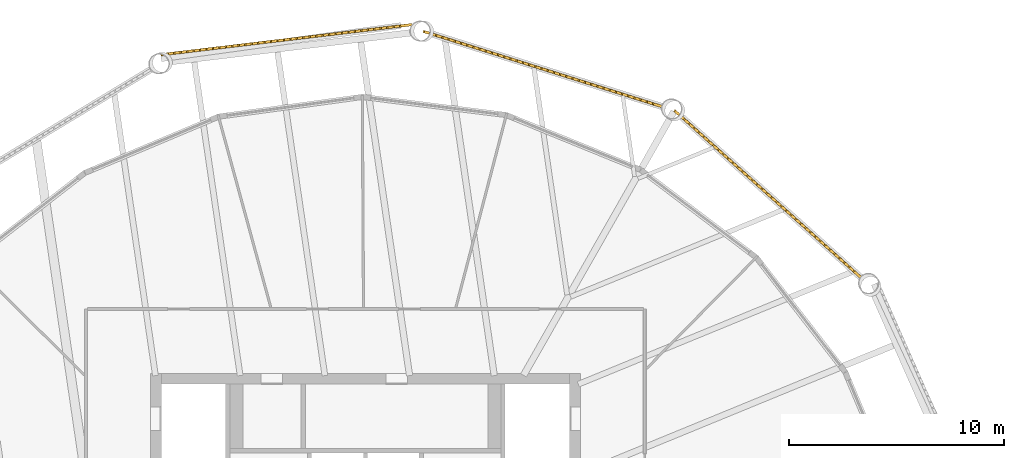
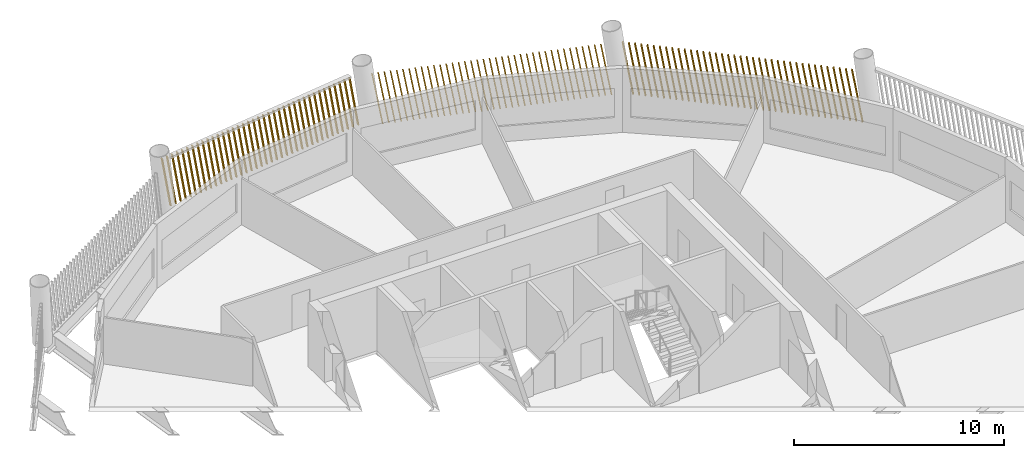
# One storey, part 14 of 15: 3 shading devices.
"""IFC4 building model written with IfcOpenShell, lengths in metres."""

from ifc_helpers import new_model, si_unit, direction, frame, frame_2d, origin, place, context, subcontext, project, spatial, rectangle, composite_profile, extrude, material, type_object, element, save


model = new_model("IFC4")

# Units and contexts
model_context = context("Model", 3, precision=1e-05, world=origin(), true_north=direction((0.0, 1.0)))
body_context = subcontext(model_context, "Body", "Model", "MODEL_VIEW")
ifc_project = project(units=[si_unit("LENGTHUNIT", "METRE"), si_unit("AREAUNIT", "SQUARE_METRE"), si_unit("VOLUMEUNIT", "CUBIC_METRE"), si_unit("PLANEANGLEUNIT", "RADIAN"), si_unit("MASSUNIT", "GRAM", prefix="KILO")], contexts=[model_context])

# Site, building, storey
site_placement = place(None, origin())
site = spatial("IfcSite", under=ifc_project, at=site_placement, CompositionType="ELEMENT")
building_placement = place(site_placement, origin())
building = spatial("IfcBuilding", under=site, at=building_placement, Name="Tarsis Ring Headquarters", CompositionType="ELEMENT")
storey_placement = place(building_placement, frame((0.0, 0.0, 319.699951171875)))
storey = spatial("IfcBuildingStorey", under=building, at=storey_placement, Name="L75", CompositionType="ELEMENT", Elevation=319.699951171875)

# Shading devices
ifc_material = material(Name="Terracotta baguette", Category="masonry")
shading_device_type = type_object("IfcShadingDeviceType", Name="Terracotta baguette screen", PredefinedType="USERDEFINED", material=ifc_material)
shading_device_1_placement = place(storey_placement, frame((23.135009765625, 17.398681640625, 0.0), z_axis=(0.0, 0.0, 1.0), x_axis=(-0.744894194249, 0.667194791101, 0.0)))
element("IfcShadingDevice", 1, at=shading_device_1_placement, inside=storey, type_object=shading_device_type, Name="Baguette screen L75-10", ObjectType="Terracotta baguette screen", PredefinedType="USERDEFINED", context=body_context, shape_type="SweptSolid", body=[
    extrude(composite_profile([rectangle(XDim=0.06005859375, YDim=0.1201171875, at=frame_2d((0.030029296875, 0.0))), rectangle(XDim=0.06005859375, YDim=0.1201171875, at=frame_2d((0.33251953125, 0.0))), rectangle(XDim=0.06005859375, YDim=0.1201171875, at=frame_2d((0.634765625, 0.0))), rectangle(XDim=0.06005859375, YDim=0.1201171875, at=frame_2d((0.937255859375, 0.0))), rectangle(XDim=0.06005859375, YDim=0.1201171875, at=frame_2d((1.239501953125, 0.0))), rectangle(XDim=0.06005859375, YDim=0.1201171875, at=frame_2d((1.5419921875, 0.0))), rectangle(XDim=0.06005859375, YDim=0.1201171875, at=frame_2d((1.844482421875, 0.0))), rectangle(XDim=0.06005859375, YDim=0.1201171875, at=frame_2d((2.146728515625, 0.0))), rectangle(XDim=0.06005859375, YDim=0.1201171875, at=frame_2d((2.44921875, 0.0))), rectangle(XDim=0.06005859375, YDim=0.1201171875, at=frame_2d((2.751708984375, 0.0))), rectangle(XDim=0.06005859375, YDim=0.1201171875, at=frame_2d((3.053955078125, 0.0))), rectangle(XDim=0.06005859375, YDim=0.1201171875, at=frame_2d((3.3564453125, 0.0))), rectangle(XDim=0.06005859375, YDim=0.1201171875, at=frame_2d((3.65869140625, 0.0))), rectangle(XDim=0.06005859375, YDim=0.1201171875, at=frame_2d((3.961181640625, 0.0))), rectangle(XDim=0.06005859375, YDim=0.1201171875, at=frame_2d((4.263671875, 0.0))), rectangle(XDim=0.06005859375, YDim=0.1201171875, at=frame_2d((4.56591796875, 0.0))), rectangle(XDim=0.06005859375, YDim=0.1201171875, at=frame_2d((4.868408203125, 0.0))), rectangle(XDim=0.06005859375, YDim=0.1201171875, at=frame_2d((5.1708984375, 0.0))), rectangle(XDim=0.06005859375, YDim=0.1201171875, at=frame_2d((5.47314453125, 0.0))), rectangle(XDim=0.06005859375, YDim=0.1201171875, at=frame_2d((5.775634765625, 0.0))), rectangle(XDim=0.06005859375, YDim=0.1201171875, at=frame_2d((6.077880859375, 0.0))), rectangle(XDim=0.06005859375, YDim=0.1201171875, at=frame_2d((6.38037109375, 0.0))), rectangle(XDim=0.06005859375, YDim=0.1201171875, at=frame_2d((6.682861328125, 0.0))), rectangle(XDim=0.06005859375, YDim=0.1201171875, at=frame_2d((6.985107421875, 0.0))), rectangle(XDim=0.06005859375, YDim=0.1201171875, at=frame_2d((7.28759765625, 0.0))), rectangle(XDim=0.06005859375, YDim=0.1201171875, at=frame_2d((7.590087890625, 0.0))), rectangle(XDim=0.06005859375, YDim=0.1201171875, at=frame_2d((7.892333984375, 0.0))), rectangle(XDim=0.06005859375, YDim=0.1201171875, at=frame_2d((8.19482421875, 0.0))), rectangle(XDim=0.06005859375, YDim=0.1201171875, at=frame_2d((8.4970703125, 0.0))), rectangle(XDim=0.06005859375, YDim=0.1201171875, at=frame_2d((8.799560546875, 0.0))), rectangle(XDim=0.06005859375, YDim=0.1201171875, at=frame_2d((9.10205078125, 0.0))), rectangle(XDim=0.06005859375, YDim=0.1201171875, at=frame_2d((9.404296875, 0.0))), rectangle(XDim=0.06005859375, YDim=0.1201171875, at=frame_2d((9.706787109375, 0.0))), rectangle(XDim=0.06005859375, YDim=0.1201171875, at=frame_2d((10.00927734375, 0.0))), rectangle(XDim=0.06005859375, YDim=0.1201171875, at=frame_2d((10.3115234375, 0.0))), rectangle(XDim=0.06005859375, YDim=0.1201171875, at=frame_2d((10.614013671875, 0.0))), rectangle(XDim=0.06005859375, YDim=0.1201171875, at=frame_2d((10.916259765625, 0.0))), rectangle(XDim=0.06005859375, YDim=0.1201171875, at=frame_2d((11.21875, 0.0)))]), origin(), (0.171102700361, 0.001550694728, 0.985251978569), 3.01220703125),
])
shading_device_2_placement = place(storey_placement, frame((13.90673828125, 25.387939453125, 0.0), z_axis=(0.0, 0.0, 1.0), x_axis=(-0.953663512458, 0.300850768296, 0.0)))
element("IfcShadingDevice", 2, at=shading_device_2_placement, inside=storey, type_object=shading_device_type, Name="Baguette screen L75-11", ObjectType="Terracotta baguette screen", PredefinedType="USERDEFINED", context=body_context, shape_type="SweptSolid", body=[
    extrude(composite_profile([rectangle(XDim=0.06005859375, YDim=0.1201171875, at=frame_2d((0.030029296875, 0.0))), rectangle(XDim=0.06005859375, YDim=0.1201171875, at=frame_2d((0.33251953125, 0.0))), rectangle(XDim=0.06005859375, YDim=0.1201171875, at=frame_2d((0.634765625, 0.0))), rectangle(XDim=0.06005859375, YDim=0.1201171875, at=frame_2d((0.937255859375, 0.0))), rectangle(XDim=0.06005859375, YDim=0.1201171875, at=frame_2d((1.239501953125, 0.0))), rectangle(XDim=0.06005859375, YDim=0.1201171875, at=frame_2d((1.5419921875, 0.0))), rectangle(XDim=0.06005859375, YDim=0.1201171875, at=frame_2d((1.844482421875, 0.0))), rectangle(XDim=0.06005859375, YDim=0.1201171875, at=frame_2d((2.146728515625, 0.0))), rectangle(XDim=0.06005859375, YDim=0.1201171875, at=frame_2d((2.44921875, 0.0))), rectangle(XDim=0.06005859375, YDim=0.1201171875, at=frame_2d((2.751708984375, 0.0))), rectangle(XDim=0.06005859375, YDim=0.1201171875, at=frame_2d((3.053955078125, 0.0))), rectangle(XDim=0.06005859375, YDim=0.1201171875, at=frame_2d((3.3564453125, 0.0))), rectangle(XDim=0.06005859375, YDim=0.1201171875, at=frame_2d((3.65869140625, 0.0))), rectangle(XDim=0.06005859375, YDim=0.1201171875, at=frame_2d((3.961181640625, 0.0))), rectangle(XDim=0.06005859375, YDim=0.1201171875, at=frame_2d((4.263671875, 0.0))), rectangle(XDim=0.06005859375, YDim=0.1201171875, at=frame_2d((4.56591796875, 0.0))), rectangle(XDim=0.06005859375, YDim=0.1201171875, at=frame_2d((4.868408203125, 0.0))), rectangle(XDim=0.06005859375, YDim=0.1201171875, at=frame_2d((5.1708984375, 0.0))), rectangle(XDim=0.06005859375, YDim=0.1201171875, at=frame_2d((5.47314453125, 0.0))), rectangle(XDim=0.06005859375, YDim=0.1201171875, at=frame_2d((5.775634765625, 0.0))), rectangle(XDim=0.06005859375, YDim=0.1201171875, at=frame_2d((6.077880859375, 0.0))), rectangle(XDim=0.06005859375, YDim=0.1201171875, at=frame_2d((6.38037109375, 0.0))), rectangle(XDim=0.06005859375, YDim=0.1201171875, at=frame_2d((6.682861328125, 0.0))), rectangle(XDim=0.06005859375, YDim=0.1201171875, at=frame_2d((6.985107421875, 0.0))), rectangle(XDim=0.06005859375, YDim=0.1201171875, at=frame_2d((7.28759765625, 0.0))), rectangle(XDim=0.06005859375, YDim=0.1201171875, at=frame_2d((7.590087890625, 0.0))), rectangle(XDim=0.06005859375, YDim=0.1201171875, at=frame_2d((7.892333984375, 0.0))), rectangle(XDim=0.06005859375, YDim=0.1201171875, at=frame_2d((8.19482421875, 0.0))), rectangle(XDim=0.06005859375, YDim=0.1201171875, at=frame_2d((8.4970703125, 0.0))), rectangle(XDim=0.06005859375, YDim=0.1201171875, at=frame_2d((8.799560546875, 0.0))), rectangle(XDim=0.06005859375, YDim=0.1201171875, at=frame_2d((9.10205078125, 0.0))), rectangle(XDim=0.06005859375, YDim=0.1201171875, at=frame_2d((9.404296875, 0.0))), rectangle(XDim=0.06005859375, YDim=0.1201171875, at=frame_2d((9.706787109375, 0.0))), rectangle(XDim=0.06005859375, YDim=0.1201171875, at=frame_2d((10.00927734375, 0.0))), rectangle(XDim=0.06005859375, YDim=0.1201171875, at=frame_2d((10.3115234375, 0.0))), rectangle(XDim=0.06005859375, YDim=0.1201171875, at=frame_2d((10.614013671875, 0.0))), rectangle(XDim=0.06005859375, YDim=0.1201171875, at=frame_2d((10.916259765625, 0.0))), rectangle(XDim=0.06005859375, YDim=0.1201171875, at=frame_2d((11.21875, 0.0)))]), origin(), (0.171100213853, 0.001553253764, 0.985252406352), 3.01220703125),
])
shading_device_3_placement = place(storey_placement, frame((2.1611328125, 29.2353515625, 0.0), z_axis=(0.0, 0.0, 1.0), x_axis=(-0.992902875746, -0.118979924037, 0.0)))
element("IfcShadingDevice", 3, at=shading_device_3_placement, inside=storey, type_object=shading_device_type, Name="Baguette screen L75-12", ObjectType="Terracotta baguette screen", PredefinedType="USERDEFINED", context=body_context, shape_type="SweptSolid", body=[
    extrude(composite_profile([rectangle(XDim=0.06005859375, YDim=0.1201171875, at=frame_2d((0.030029296875, 0.0))), rectangle(XDim=0.06005859375, YDim=0.1201171875, at=frame_2d((0.33251953125, 0.0))), rectangle(XDim=0.06005859375, YDim=0.1201171875, at=frame_2d((0.634765625, 0.0))), rectangle(XDim=0.06005859375, YDim=0.1201171875, at=frame_2d((0.937255859375, 0.0))), rectangle(XDim=0.06005859375, YDim=0.1201171875, at=frame_2d((1.239501953125, 0.0))), rectangle(XDim=0.06005859375, YDim=0.1201171875, at=frame_2d((1.5419921875, 0.0))), rectangle(XDim=0.06005859375, YDim=0.1201171875, at=frame_2d((1.844482421875, 0.0))), rectangle(XDim=0.06005859375, YDim=0.1201171875, at=frame_2d((2.146728515625, 0.0))), rectangle(XDim=0.06005859375, YDim=0.1201171875, at=frame_2d((2.44921875, 0.0))), rectangle(XDim=0.06005859375, YDim=0.1201171875, at=frame_2d((2.751708984375, 0.0))), rectangle(XDim=0.06005859375, YDim=0.1201171875, at=frame_2d((3.053955078125, 0.0))), rectangle(XDim=0.06005859375, YDim=0.1201171875, at=frame_2d((3.3564453125, 0.0))), rectangle(XDim=0.06005859375, YDim=0.1201171875, at=frame_2d((3.65869140625, 0.0))), rectangle(XDim=0.06005859375, YDim=0.1201171875, at=frame_2d((3.961181640625, 0.0))), rectangle(XDim=0.06005859375, YDim=0.1201171875, at=frame_2d((4.263671875, 0.0))), rectangle(XDim=0.06005859375, YDim=0.1201171875, at=frame_2d((4.56591796875, 0.0))), rectangle(XDim=0.06005859375, YDim=0.1201171875, at=frame_2d((4.868408203125, 0.0))), rectangle(XDim=0.06005859375, YDim=0.1201171875, at=frame_2d((5.1708984375, 0.0))), rectangle(XDim=0.06005859375, YDim=0.1201171875, at=frame_2d((5.47314453125, 0.0))), rectangle(XDim=0.06005859375, YDim=0.1201171875, at=frame_2d((5.775634765625, 0.0))), rectangle(XDim=0.06005859375, YDim=0.1201171875, at=frame_2d((6.077880859375, 0.0))), rectangle(XDim=0.06005859375, YDim=0.1201171875, at=frame_2d((6.38037109375, 0.0))), rectangle(XDim=0.06005859375, YDim=0.1201171875, at=frame_2d((6.682861328125, 0.0))), rectangle(XDim=0.06005859375, YDim=0.1201171875, at=frame_2d((6.985107421875, 0.0))), rectangle(XDim=0.06005859375, YDim=0.1201171875, at=frame_2d((7.28759765625, 0.0))), rectangle(XDim=0.06005859375, YDim=0.1201171875, at=frame_2d((7.590087890625, 0.0))), rectangle(XDim=0.06005859375, YDim=0.1201171875, at=frame_2d((7.892333984375, 0.0))), rectangle(XDim=0.06005859375, YDim=0.1201171875, at=frame_2d((8.19482421875, 0.0))), rectangle(XDim=0.06005859375, YDim=0.1201171875, at=frame_2d((8.4970703125, 0.0))), rectangle(XDim=0.06005859375, YDim=0.1201171875, at=frame_2d((8.799560546875, 0.0))), rectangle(XDim=0.06005859375, YDim=0.1201171875, at=frame_2d((9.10205078125, 0.0))), rectangle(XDim=0.06005859375, YDim=0.1201171875, at=frame_2d((9.404296875, 0.0))), rectangle(XDim=0.06005859375, YDim=0.1201171875, at=frame_2d((9.706787109375, 0.0))), rectangle(XDim=0.06005859375, YDim=0.1201171875, at=frame_2d((10.00927734375, 0.0))), rectangle(XDim=0.06005859375, YDim=0.1201171875, at=frame_2d((10.3115234375, 0.0))), rectangle(XDim=0.06005859375, YDim=0.1201171875, at=frame_2d((10.614013671875, 0.0))), rectangle(XDim=0.06005859375, YDim=0.1201171875, at=frame_2d((10.916259765625, 0.0))), rectangle(XDim=0.06005859375, YDim=0.1201171875, at=frame_2d((11.21875, 0.0)))]), origin(), (0.173294702896, 0.001574338293, 0.984868756438), 3.013427734375),
])

save(model, "model.ifc")
